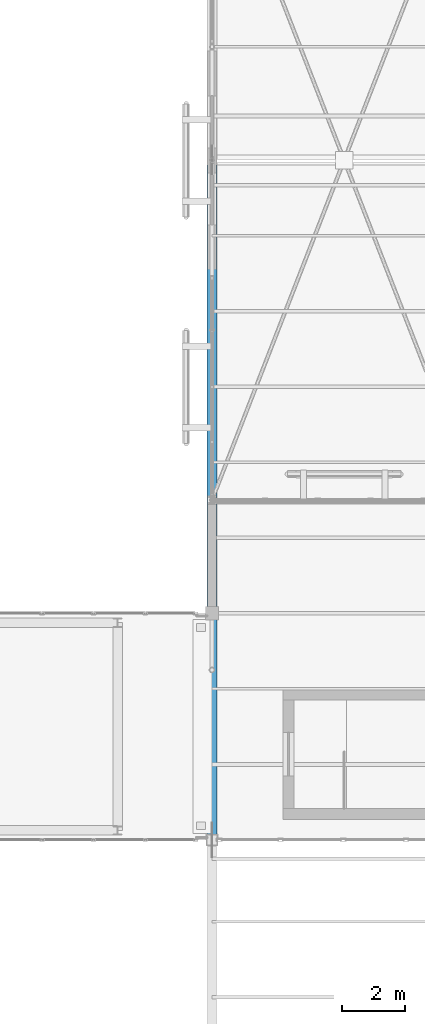
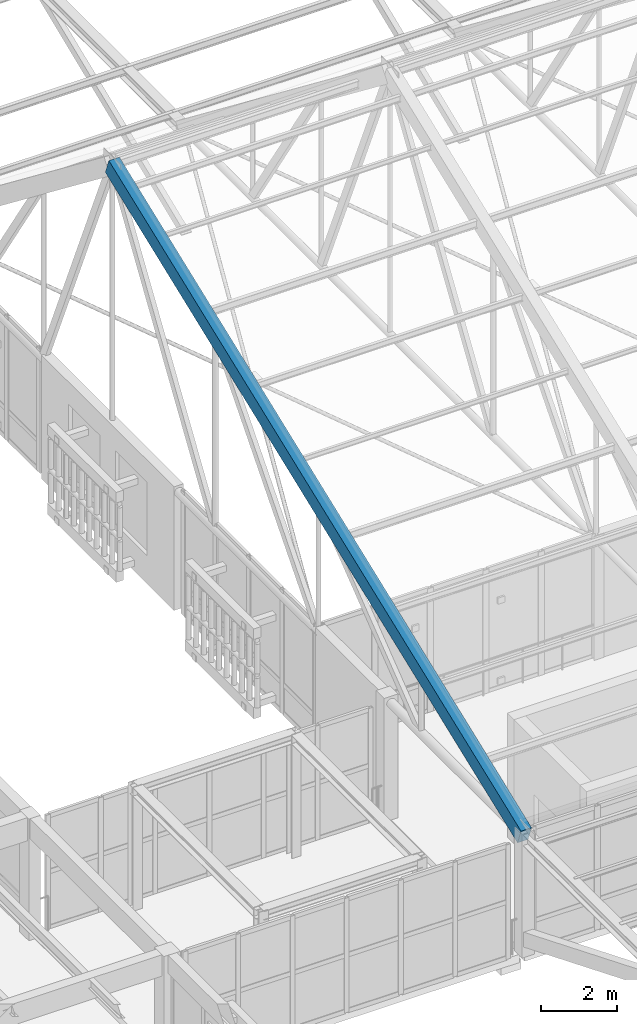
# One storey, part 68 of 217: 1 member.
"""IFC4 building model written with IfcOpenShell, lengths in metres."""

from ifc_helpers import new_model, si_unit, direction, frame, origin, origin_2d, place, context, subcontext, project, spatial, rectangle, extrude, material, material_profile, profile_set, type_object, element, save


model = new_model("IFC4")

# Units and contexts
model_context = context("Model", 3, precision=1e-05, world=origin(), true_north=direction((0.0, 1.0)))
body_context = subcontext(model_context, "Body", "Model", "MODEL_VIEW")
ifc_project = project(units=[si_unit("LENGTHUNIT", "METRE"), si_unit("AREAUNIT", "SQUARE_METRE"), si_unit("VOLUMEUNIT", "CUBIC_METRE"), si_unit("PLANEANGLEUNIT", "RADIAN"), si_unit("MASSUNIT", "GRAM", prefix="KILO")], contexts=[model_context])

# Site, building, storey
site_placement = place(None, origin())
site = spatial("IfcSite", under=ifc_project, at=site_placement, CompositionType="ELEMENT")
building_placement = place(site_placement, origin())
building = spatial("IfcBuilding", under=site, at=building_placement, Name="Mazaris Harbour Polytechnic", CompositionType="ELEMENT")
storey_placement = place(building_placement, frame((0.0, 0.0, 9.60009765625)))
storey = spatial("IfcBuildingStorey", under=building, at=storey_placement, Name="L02", CompositionType="ELEMENT", Elevation=9.60009765625)

# Member
ifc_material = material(Name="Glulam GL32h", Category="wood")
ifc_material_profile = material_profile(ifc_material, rectangle(XDim=0.320068359375, YDim=0.52001953125, at=origin_2d()), Name="RECT320x520")
ifc_profile_set = profile_set([ifc_material_profile], Name="Glulam GL32h")
member_type = type_object("IfcMemberType", Name="Glulam Top Chord 320x520", PredefinedType="CHORD", material=ifc_profile_set)
member_placement = place(storey_placement, frame((54.0, 75.60009765625, 3.75), z_axis=(0.0, 0.93273343771, 0.360566684786), x_axis=(-1.0, 0.0, 0.0)))
element("IfcMember", 1, at=member_placement, inside=storey, type_object=member_type, Name="Truss 1 South Glulam Top Chord", PredefinedType="CHORD", context=body_context, shape_type="SweptSolid", body=[
    extrude(rectangle(XDim=0.320068359375, YDim=0.52001953125, at=origin_2d()), origin(), (0.0, 0.0, 1.0), 23.157470703125),
])

save(model, "model.ifc")
